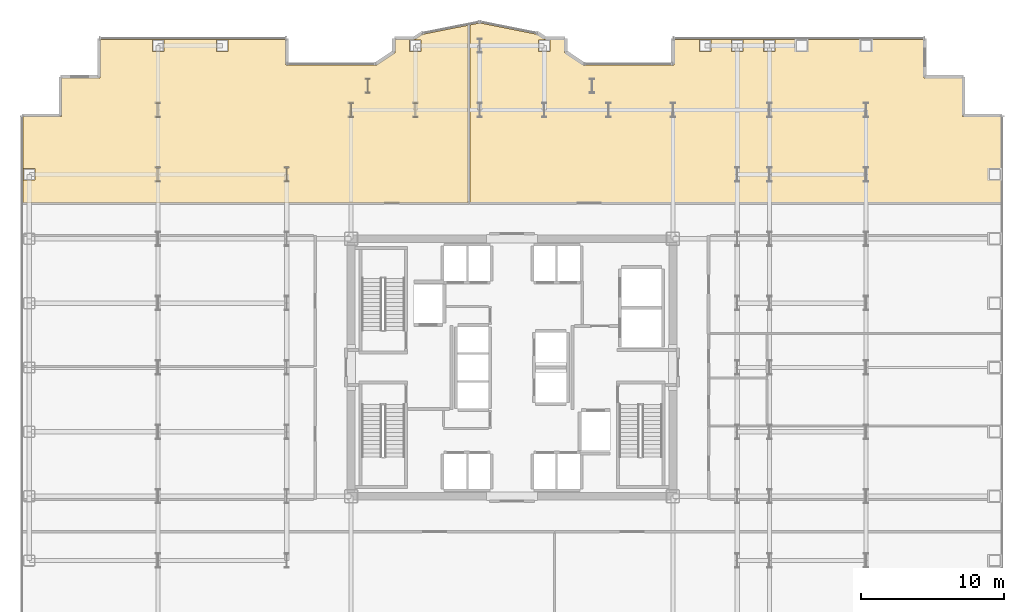
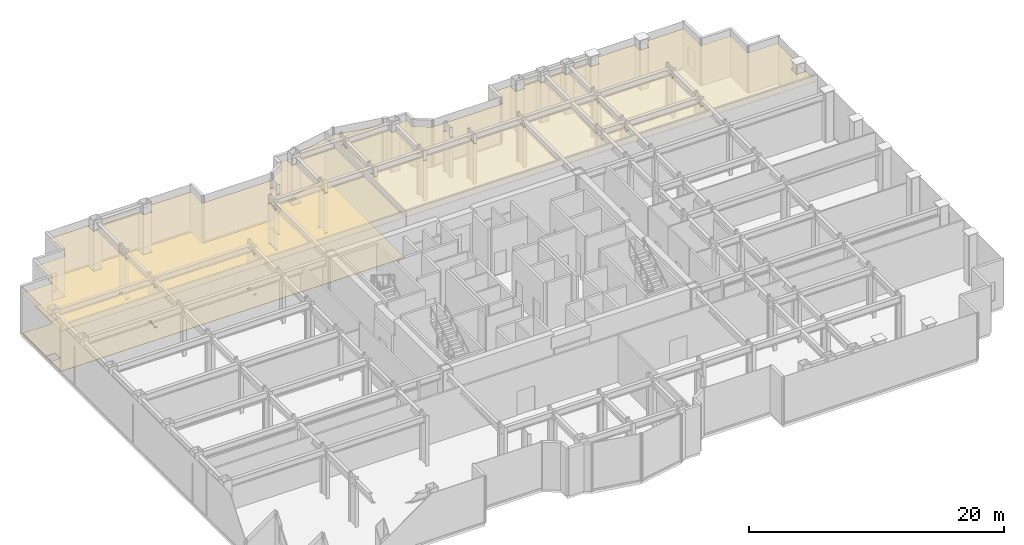
# One storey, part 26 of 27: 3 coverings.
"""IFC4 building model written with IfcOpenShell, lengths in metres."""

from ifc_helpers import new_model, si_unit, direction, frame, origin, place, context, subcontext, project, spatial, polyline, outline, extrude, material, layer, layer_set, type_object, element, save


model = new_model("IFC4")

# Units and contexts
model_context = context("Model", 3, precision=1e-05, world=origin(), true_north=direction((0.0, 1.0)))
body_context = subcontext(model_context, "Body", "Model", "MODEL_VIEW")
ifc_project = project(units=[si_unit("LENGTHUNIT", "METRE"), si_unit("AREAUNIT", "SQUARE_METRE"), si_unit("VOLUMEUNIT", "CUBIC_METRE"), si_unit("PLANEANGLEUNIT", "RADIAN"), si_unit("MASSUNIT", "GRAM", prefix="KILO")], contexts=[model_context])

# Site, building, storey
site_placement = place(None, origin())
site = spatial("IfcSite", under=ifc_project, at=site_placement, CompositionType="ELEMENT")
building_placement = place(site_placement, origin())
building = spatial("IfcBuilding", under=site, at=building_placement, Name="Nefas-Gora Pilgrimage Tower", CompositionType="ELEMENT")
storey_placement = place(building_placement, frame((0.0, 0.0, 144.0)))
storey = spatial("IfcBuildingStorey", under=building, at=storey_placement, Name="L35", CompositionType="ELEMENT", Elevation=144.0)

# Coverings
ifc_material_1 = material(Name="Perforated gypsum acoustic ceiling")
ifc_layer_1 = layer(ifc_material_1, 0.02490234375)
ifc_layer_set_1 = layer_set([ifc_layer_1], Name="Perforated gypsum acoustic ceiling")
covering_type_1 = type_object("IfcCoveringType", Name="COV-CEIL-ACOUST", PredefinedType="CEILING", material=ifc_layer_set_1)
covering_1_placement = place(storey_placement, frame((0.0, 0.0, 3.85498046875)))
element("IfcCovering", 1, at=covering_1_placement, inside=storey, type_object=covering_type_1, Name="L35 Acoustic Suspended Ceiling (North Panorama Sky Lobby)", PredefinedType="CEILING", context=body_context, shape_type="SweptSolid", body=[
    extrude(outline(polyline([(-34.18994140625, 17.5400390625), (-34.18994140625, 11.510009765625), (-13.719970703125, 11.510009765625), (-3.06005859375, 11.510009765625), (-3.06005859375, 23.9296875), (-6.276123046875, 23.289794921875), (-6.77978515625, 22.95361328125), (-6.786376953125, 22.949462890625), (-6.79345703125, 22.946044921875), (-6.80078125, 22.943359375), (-6.80859375, 22.94140625), (-6.81640625, 22.9404296875), (-6.82421875, 22.93994140625), (-8.169921875, 22.93994140625), (-8.169921875, 22.0673828125), (-8.17041015625, 22.059326171875), (-8.17138671875, 22.0517578125), (-8.17333984375, 22.0439453125), (-8.176025390625, 22.03662109375), (-8.179443359375, 22.029541015625), (-8.18359375, 22.022705078125), (-8.188232421875, 22.0166015625), (-8.193359375, 22.0107421875), (-8.19921875, 22.00537109375), (-8.20556640625, 22.000732421875), (-9.4736328125, 21.153564453125), (-9.480224609375, 21.1494140625), (-9.4873046875, 21.14599609375), (-9.494873046875, 21.143310546875), (-9.50244140625, 21.1416015625), (-9.51025390625, 21.140380859375), (-9.51806640625, 21.139892578125), (-15.75, 21.139892578125), (-15.7578125, 21.140380859375), (-15.765625, 21.1416015625), (-15.773193359375, 21.143310546875), (-15.780517578125, 21.14599609375), (-15.78759765625, 21.1494140625), (-15.79443359375, 21.153564453125), (-15.80078125, 21.158203125), (-15.806640625, 21.163330078125), (-15.811767578125, 21.169189453125), (-15.81640625, 21.175537109375), (-15.820556640625, 21.182373046875), (-15.823974609375, 21.189453125), (-15.82666015625, 21.19677734375), (-15.82861328125, 21.204345703125), (-15.82958984375, 21.212158203125), (-15.830078125, 21.219970703125), (-15.830078125, 22.93994140625), (-28.7900390625, 22.93994140625), (-28.7900390625, 20.320068359375), (-28.790283203125, 20.312255859375), (-28.79150390625, 20.304443359375), (-28.79345703125, 20.296875), (-28.796142578125, 20.289306640625), (-28.79931640625, 20.2822265625), (-28.803466796875, 20.275634765625), (-28.80810546875, 20.269287109375), (-28.8134765625, 20.263427734375), (-28.819091796875, 20.25830078125), (-28.82568359375, 20.25341796875), (-28.832275390625, 20.24951171875), (-28.83935546875, 20.24609375), (-28.8466796875, 20.243408203125), (-28.8544921875, 20.241455078125), (-28.8623046875, 20.240478515625), (-28.8701171875, 20.239990234375), (-31.489990234375, 20.239990234375), (-31.489990234375, 17.6201171875), (-31.490478515625, 17.6123046875), (-31.491455078125, 17.6044921875), (-31.493408203125, 17.5966796875), (-31.49609375, 17.58935546875), (-31.49951171875, 17.582275390625), (-31.50341796875, 17.57568359375), (-31.50830078125, 17.569091796875), (-31.513427734375, 17.5634765625), (-31.519287109375, 17.55810546875), (-31.525634765625, 17.553466796875), (-31.5322265625, 17.54931640625), (-31.539306640625, 17.546142578125), (-31.546875, 17.54345703125), (-31.554443359375, 17.54150390625), (-31.562255859375, 17.540283203125), (-31.570068359375, 17.5400390625), (-34.18994140625, 17.5400390625)]), holes=[polyline([(-6.347900390625, 22.097900390625), (-7.152099609375, 22.097900390625), (-7.152099609375, 22.902099609375), (-6.347900390625, 22.902099609375), (-6.347900390625, 22.097900390625)]), polyline([(-6.596923828125, 18.4619140625), (-6.737548828125, 18.4619140625), (-6.737548828125, 17.5380859375), (-6.596923828125, 17.5380859375), (-6.596923828125, 17.493896484375), (-6.903076171875, 17.493896484375), (-6.903076171875, 17.5380859375), (-6.762451171875, 17.5380859375), (-6.762451171875, 18.4619140625), (-6.903076171875, 18.4619140625), (-6.903076171875, 18.506103515625), (-6.596923828125, 18.506103515625), (-6.596923828125, 18.4619140625)]), polyline([(-9.93798828125, 20.157958984375), (-10.07861328125, 20.157958984375), (-10.07861328125, 19.23388671875), (-9.93798828125, 19.23388671875), (-9.93798828125, 19.18994140625), (-10.243896484375, 19.18994140625), (-10.243896484375, 19.23388671875), (-10.103515625, 19.23388671875), (-10.103515625, 20.157958984375), (-10.243896484375, 20.157958984375), (-10.243896484375, 20.201904296875), (-9.93798828125, 20.201904296875), (-9.93798828125, 20.157958984375)]), polyline([(-11.096923828125, 18.4619140625), (-11.237548828125, 18.4619140625), (-11.237548828125, 17.5380859375), (-11.096923828125, 17.5380859375), (-11.096923828125, 17.493896484375), (-11.403076171875, 17.493896484375), (-11.403076171875, 17.5380859375), (-11.262451171875, 17.5380859375), (-11.262451171875, 18.4619140625), (-11.403076171875, 18.4619140625), (-11.403076171875, 18.506103515625), (-11.096923828125, 18.506103515625), (-11.096923828125, 18.4619140625)]), polyline([(-15.596923828125, 13.9619140625), (-15.737548828125, 13.9619140625), (-15.737548828125, 13.0380859375), (-15.596923828125, 13.0380859375), (-15.596923828125, 12.993896484375), (-15.903076171875, 12.993896484375), (-15.903076171875, 13.0380859375), (-15.762451171875, 13.0380859375), (-15.762451171875, 13.9619140625), (-15.903076171875, 13.9619140625), (-15.903076171875, 14.006103515625), (-15.596923828125, 14.006103515625), (-15.596923828125, 13.9619140625)]), polyline([(-19.847900390625, 22.902099609375), (-19.847900390625, 22.097900390625), (-20.652099609375, 22.097900390625), (-20.652099609375, 22.902099609375), (-19.847900390625, 22.902099609375)]), polyline([(-24.347900390625, 22.097900390625), (-25.152099609375, 22.097900390625), (-25.152099609375, 22.902099609375), (-24.347900390625, 22.902099609375), (-24.347900390625, 22.097900390625)]), polyline([(-24.596923828125, 13.9619140625), (-24.737548828125, 13.9619140625), (-24.737548828125, 13.0380859375), (-24.596923828125, 13.0380859375), (-24.596923828125, 12.993896484375), (-24.903076171875, 12.993896484375), (-24.903076171875, 13.0380859375), (-24.762451171875, 13.0380859375), (-24.762451171875, 13.9619140625), (-24.903076171875, 13.9619140625), (-24.903076171875, 14.006103515625), (-24.596923828125, 14.006103515625), (-24.596923828125, 13.9619140625)]), polyline([(-24.596923828125, 18.4619140625), (-24.737548828125, 18.4619140625), (-24.737548828125, 17.5380859375), (-24.596923828125, 17.5380859375), (-24.596923828125, 17.493896484375), (-24.903076171875, 17.493896484375), (-24.903076171875, 17.5380859375), (-24.762451171875, 17.5380859375), (-24.762451171875, 18.4619140625), (-24.903076171875, 18.4619140625), (-24.903076171875, 18.506103515625), (-24.596923828125, 18.506103515625), (-24.596923828125, 18.4619140625)]), polyline([(-33.347900390625, 13.902099609375), (-33.347900390625, 13.097900390625), (-34.152099609375, 13.097900390625), (-34.152099609375, 13.902099609375), (-33.347900390625, 13.902099609375)])]), origin(), (0.0, 0.0, 1.0), 0.02490234375),
])
covering_2_placement = place(storey_placement, frame((0.0, 0.0, 3.85498046875)))
element("IfcCovering", 2, at=covering_2_placement, inside=storey, type_object=covering_type_1, Name="L35 Acoustic Suspended Ceiling (Sky Transfer Concierge Hall)", PredefinedType="CEILING", context=body_context, shape_type="SweptSolid", body=[
    extrude(outline(polyline([(-2.25, 24.0908203125), (-2.93994140625, 23.95361328125), (-2.93994140625, 11.510009765625), (13.719970703125, 11.510009765625), (34.18994140625, 11.510009765625), (34.18994140625, 17.5400390625), (31.570068359375, 17.5400390625), (31.562255859375, 17.540283203125), (31.554443359375, 17.54150390625), (31.546875, 17.54345703125), (31.539306640625, 17.546142578125), (31.5322265625, 17.54931640625), (31.525634765625, 17.553466796875), (31.519287109375, 17.55810546875), (31.513427734375, 17.5634765625), (31.50830078125, 17.569091796875), (31.50341796875, 17.57568359375), (31.49951171875, 17.582275390625), (31.49609375, 17.58935546875), (31.493408203125, 17.5966796875), (31.491455078125, 17.6044921875), (31.490478515625, 17.6123046875), (31.489990234375, 17.6201171875), (31.489990234375, 20.239990234375), (28.8701171875, 20.239990234375), (28.8623046875, 20.240478515625), (28.8544921875, 20.241455078125), (28.8466796875, 20.243408203125), (28.83935546875, 20.24609375), (28.832275390625, 20.24951171875), (28.82568359375, 20.25341796875), (28.819091796875, 20.25830078125), (28.8134765625, 20.263427734375), (28.80810546875, 20.269287109375), (28.803466796875, 20.275634765625), (28.79931640625, 20.2822265625), (28.796142578125, 20.289306640625), (28.79345703125, 20.296875), (28.79150390625, 20.304443359375), (28.790283203125, 20.312255859375), (28.7900390625, 20.320068359375), (28.7900390625, 22.93994140625), (11.330078125, 22.93994140625), (11.330078125, 21.219970703125), (11.32958984375, 21.212158203125), (11.32861328125, 21.204345703125), (11.32666015625, 21.19677734375), (11.323974609375, 21.189453125), (11.320556640625, 21.182373046875), (11.31640625, 21.175537109375), (11.311767578125, 21.169189453125), (11.306640625, 21.163330078125), (11.30078125, 21.158203125), (11.29443359375, 21.153564453125), (11.28759765625, 21.1494140625), (11.280517578125, 21.14599609375), (11.273193359375, 21.143310546875), (11.265625, 21.1416015625), (11.2578125, 21.140380859375), (11.25, 21.139892578125), (5.01806640625, 21.139892578125), (5.01025390625, 21.140380859375), (5.00244140625, 21.1416015625), (4.994873046875, 21.143310546875), (4.9873046875, 21.14599609375), (4.980224609375, 21.1494140625), (4.9736328125, 21.153564453125), (3.70556640625, 22.000732421875), (3.69921875, 22.00537109375), (3.693359375, 22.0107421875), (3.688232421875, 22.0166015625), (3.68359375, 22.022705078125), (3.679443359375, 22.029541015625), (3.676025390625, 22.03662109375), (3.67333984375, 22.0439453125), (3.67138671875, 22.0517578125), (3.67041015625, 22.059326171875), (3.669921875, 22.0673828125), (3.669921875, 22.93994140625), (2.32421875, 22.93994140625), (2.31640625, 22.9404296875), (2.30859375, 22.94140625), (2.30078125, 22.943359375), (2.29345703125, 22.946044921875), (2.286376953125, 22.949462890625), (2.27978515625, 22.95361328125), (1.776123046875, 23.289794921875), (-2.25, 24.0908203125)]), holes=[polyline([(34.152099609375, 13.097900390625), (33.347900390625, 13.097900390625), (33.347900390625, 13.902099609375), (34.152099609375, 13.902099609375), (34.152099609375, 13.097900390625)]), polyline([(25.152099609375, 22.097900390625), (24.347900390625, 22.097900390625), (24.347900390625, 22.902099609375), (25.152099609375, 22.902099609375), (25.152099609375, 22.097900390625)]), polyline([(24.903076171875, 13.9619140625), (24.762451171875, 13.9619140625), (24.762451171875, 13.0380859375), (24.903076171875, 13.0380859375), (24.903076171875, 12.993896484375), (24.596923828125, 12.993896484375), (24.596923828125, 13.0380859375), (24.737548828125, 13.0380859375), (24.737548828125, 13.9619140625), (24.596923828125, 13.9619140625), (24.596923828125, 14.006103515625), (24.903076171875, 14.006103515625), (24.903076171875, 13.9619140625)]), polyline([(24.903076171875, 18.506103515625), (24.903076171875, 18.4619140625), (24.762451171875, 18.4619140625), (24.762451171875, 17.5380859375), (24.903076171875, 17.5380859375), (24.903076171875, 17.493896484375), (24.596923828125, 17.493896484375), (24.596923828125, 17.5380859375), (24.737548828125, 17.5380859375), (24.737548828125, 18.4619140625), (24.596923828125, 18.4619140625), (24.596923828125, 18.506103515625), (24.903076171875, 18.506103515625)]), polyline([(20.652099609375, 22.097900390625), (19.847900390625, 22.097900390625), (19.847900390625, 22.902099609375), (20.652099609375, 22.902099609375), (20.652099609375, 22.097900390625)]), polyline([(18.402099609375, 22.097900390625), (17.597900390625, 22.097900390625), (17.597900390625, 22.902099609375), (18.402099609375, 22.902099609375), (18.402099609375, 22.097900390625)]), polyline([(18.153076171875, 18.506103515625), (18.153076171875, 18.4619140625), (18.012451171875, 18.4619140625), (18.012451171875, 17.5380859375), (18.153076171875, 17.5380859375), (18.153076171875, 17.493896484375), (17.846923828125, 17.493896484375), (17.846923828125, 17.5380859375), (17.987548828125, 17.5380859375), (17.987548828125, 18.4619140625), (17.846923828125, 18.4619140625), (17.846923828125, 18.506103515625), (18.153076171875, 18.506103515625)]), polyline([(18.153076171875, 14.006103515625), (18.153076171875, 13.9619140625), (18.012451171875, 13.9619140625), (18.012451171875, 13.0380859375), (18.153076171875, 13.0380859375), (18.153076171875, 12.993896484375), (17.846923828125, 12.993896484375), (17.846923828125, 13.0380859375), (17.987548828125, 13.0380859375), (17.987548828125, 13.9619140625), (17.846923828125, 13.9619140625), (17.846923828125, 14.006103515625), (18.153076171875, 14.006103515625)]), polyline([(16.152099609375, 22.097900390625), (15.347900390625, 22.097900390625), (15.347900390625, 22.902099609375), (16.152099609375, 22.902099609375), (16.152099609375, 22.097900390625)]), polyline([(15.903076171875, 13.9619140625), (15.762451171875, 13.9619140625), (15.762451171875, 13.0380859375), (15.903076171875, 13.0380859375), (15.903076171875, 12.993896484375), (15.596923828125, 12.993896484375), (15.596923828125, 13.0380859375), (15.737548828125, 13.0380859375), (15.737548828125, 13.9619140625), (15.596923828125, 13.9619140625), (15.596923828125, 14.006103515625), (15.903076171875, 14.006103515625), (15.903076171875, 13.9619140625)]), polyline([(13.902099609375, 22.902099609375), (13.902099609375, 22.097900390625), (13.097900390625, 22.097900390625), (13.097900390625, 22.902099609375), (13.902099609375, 22.902099609375)]), polyline([(11.403076171875, 18.4619140625), (11.262451171875, 18.4619140625), (11.262451171875, 17.5380859375), (11.403076171875, 17.5380859375), (11.403076171875, 17.493896484375), (11.096923828125, 17.493896484375), (11.096923828125, 17.5380859375), (11.237548828125, 17.5380859375), (11.237548828125, 18.4619140625), (11.096923828125, 18.4619140625), (11.096923828125, 18.506103515625), (11.403076171875, 18.506103515625), (11.403076171875, 18.4619140625)]), polyline([(6.903076171875, 18.4619140625), (6.762451171875, 18.4619140625), (6.762451171875, 17.5380859375), (6.903076171875, 17.5380859375), (6.903076171875, 17.493896484375), (6.596923828125, 17.493896484375), (6.596923828125, 17.5380859375), (6.737548828125, 17.5380859375), (6.737548828125, 18.4619140625), (6.596923828125, 18.4619140625), (6.596923828125, 18.506103515625), (6.903076171875, 18.506103515625), (6.903076171875, 18.4619140625)]), polyline([(5.743896484375, 20.201904296875), (5.743896484375, 20.157958984375), (5.603515625, 20.157958984375), (5.603515625, 19.23388671875), (5.743896484375, 19.23388671875), (5.743896484375, 19.18994140625), (5.43798828125, 19.18994140625), (5.43798828125, 19.23388671875), (5.57861328125, 19.23388671875), (5.57861328125, 20.157958984375), (5.43798828125, 20.157958984375), (5.43798828125, 20.201904296875), (5.743896484375, 20.201904296875)]), polyline([(2.652099609375, 22.902099609375), (2.652099609375, 22.097900390625), (1.847900390625, 22.097900390625), (1.847900390625, 22.902099609375), (2.652099609375, 22.902099609375)]), polyline([(2.403076171875, 18.4619140625), (2.262451171875, 18.4619140625), (2.262451171875, 17.5380859375), (2.403076171875, 17.5380859375), (2.403076171875, 17.493896484375), (2.096923828125, 17.493896484375), (2.096923828125, 17.5380859375), (2.237548828125, 17.5380859375), (2.237548828125, 18.4619140625), (2.096923828125, 18.4619140625), (2.096923828125, 18.506103515625), (2.403076171875, 18.506103515625), (2.403076171875, 18.4619140625)]), polyline([(-2.096923828125, 18.506103515625), (-2.096923828125, 18.4619140625), (-2.237548828125, 18.4619140625), (-2.237548828125, 17.5380859375), (-2.096923828125, 17.5380859375), (-2.096923828125, 17.493896484375), (-2.403076171875, 17.493896484375), (-2.403076171875, 17.5380859375), (-2.262451171875, 17.5380859375), (-2.262451171875, 18.4619140625), (-2.403076171875, 18.4619140625), (-2.403076171875, 18.506103515625), (-2.096923828125, 18.506103515625)]), polyline([(-2.096923828125, 22.9619140625), (-2.237548828125, 22.9619140625), (-2.237548828125, 22.0380859375), (-2.096923828125, 22.0380859375), (-2.096923828125, 21.993896484375), (-2.403076171875, 21.993896484375), (-2.403076171875, 22.0380859375), (-2.262451171875, 22.0380859375), (-2.262451171875, 22.9619140625), (-2.403076171875, 22.9619140625), (-2.403076171875, 23.006103515625), (-2.096923828125, 23.006103515625), (-2.096923828125, 22.9619140625)])]), origin(), (0.0, 0.0, 1.0), 0.02490234375),
])
ifc_material_2 = material(Name="Honed granite stone flooring", Category="masonry")
ifc_layer_2 = layer(ifc_material_2, 0.030029296875)
ifc_layer_set_2 = layer_set([ifc_layer_2], Name="Honed granite stone flooring")
covering_type_2 = type_object("IfcCoveringType", Name="COV-FLOR-GRAN", PredefinedType="FLOORING", material=ifc_layer_set_2)
covering_3_placement = place(storey_placement, origin())
element("IfcCovering", 3, at=covering_3_placement, inside=storey, type_object=covering_type_2, Name="L35 Honed Granite Flooring (North Panorama Sky Lobby)", PredefinedType="FLOORING", context=body_context, shape_type="SweptSolid", body=[
    extrude(outline(polyline([(-34.18994140625, 17.5400390625), (-34.18994140625, 11.510009765625), (-13.719970703125, 11.510009765625), (-3.06005859375, 11.510009765625), (-3.06005859375, 23.9296875), (-6.276123046875, 23.289794921875), (-6.77978515625, 22.95361328125), (-6.786376953125, 22.949462890625), (-6.79345703125, 22.946044921875), (-6.80078125, 22.943359375), (-6.80859375, 22.94140625), (-6.81640625, 22.9404296875), (-6.82421875, 22.93994140625), (-8.169921875, 22.93994140625), (-8.169921875, 22.0673828125), (-8.17041015625, 22.059326171875), (-8.17138671875, 22.0517578125), (-8.17333984375, 22.0439453125), (-8.176025390625, 22.03662109375), (-8.179443359375, 22.029541015625), (-8.18359375, 22.022705078125), (-8.188232421875, 22.0166015625), (-8.193359375, 22.0107421875), (-8.19921875, 22.00537109375), (-8.20556640625, 22.000732421875), (-9.4736328125, 21.153564453125), (-9.480224609375, 21.1494140625), (-9.4873046875, 21.14599609375), (-9.494873046875, 21.143310546875), (-9.50244140625, 21.1416015625), (-9.51025390625, 21.140380859375), (-9.51806640625, 21.139892578125), (-15.75, 21.139892578125), (-15.7578125, 21.140380859375), (-15.765625, 21.1416015625), (-15.773193359375, 21.143310546875), (-15.780517578125, 21.14599609375), (-15.78759765625, 21.1494140625), (-15.79443359375, 21.153564453125), (-15.80078125, 21.158203125), (-15.806640625, 21.163330078125), (-15.811767578125, 21.169189453125), (-15.81640625, 21.175537109375), (-15.820556640625, 21.182373046875), (-15.823974609375, 21.189453125), (-15.82666015625, 21.19677734375), (-15.82861328125, 21.204345703125), (-15.82958984375, 21.212158203125), (-15.830078125, 21.219970703125), (-15.830078125, 22.93994140625), (-28.7900390625, 22.93994140625), (-28.7900390625, 20.320068359375), (-28.790283203125, 20.312255859375), (-28.79150390625, 20.304443359375), (-28.79345703125, 20.296875), (-28.796142578125, 20.289306640625), (-28.79931640625, 20.2822265625), (-28.803466796875, 20.275634765625), (-28.80810546875, 20.269287109375), (-28.8134765625, 20.263427734375), (-28.819091796875, 20.25830078125), (-28.82568359375, 20.25341796875), (-28.832275390625, 20.24951171875), (-28.83935546875, 20.24609375), (-28.8466796875, 20.243408203125), (-28.8544921875, 20.241455078125), (-28.8623046875, 20.240478515625), (-28.8701171875, 20.239990234375), (-31.489990234375, 20.239990234375), (-31.489990234375, 17.6201171875), (-31.490478515625, 17.6123046875), (-31.491455078125, 17.6044921875), (-31.493408203125, 17.5966796875), (-31.49609375, 17.58935546875), (-31.49951171875, 17.582275390625), (-31.50341796875, 17.57568359375), (-31.50830078125, 17.569091796875), (-31.513427734375, 17.5634765625), (-31.519287109375, 17.55810546875), (-31.525634765625, 17.553466796875), (-31.5322265625, 17.54931640625), (-31.539306640625, 17.546142578125), (-31.546875, 17.54345703125), (-31.554443359375, 17.54150390625), (-31.562255859375, 17.540283203125), (-31.570068359375, 17.5400390625), (-34.18994140625, 17.5400390625)]), holes=[polyline([(-6.347900390625, 22.097900390625), (-7.152099609375, 22.097900390625), (-7.152099609375, 22.902099609375), (-6.347900390625, 22.902099609375), (-6.347900390625, 22.097900390625)]), polyline([(-6.596923828125, 18.4619140625), (-6.737548828125, 18.4619140625), (-6.737548828125, 17.5380859375), (-6.596923828125, 17.5380859375), (-6.596923828125, 17.493896484375), (-6.903076171875, 17.493896484375), (-6.903076171875, 17.5380859375), (-6.762451171875, 17.5380859375), (-6.762451171875, 18.4619140625), (-6.903076171875, 18.4619140625), (-6.903076171875, 18.506103515625), (-6.596923828125, 18.506103515625), (-6.596923828125, 18.4619140625)]), polyline([(-9.93798828125, 20.157958984375), (-10.07861328125, 20.157958984375), (-10.07861328125, 19.23388671875), (-9.93798828125, 19.23388671875), (-9.93798828125, 19.18994140625), (-10.243896484375, 19.18994140625), (-10.243896484375, 19.23388671875), (-10.103515625, 19.23388671875), (-10.103515625, 20.157958984375), (-10.243896484375, 20.157958984375), (-10.243896484375, 20.201904296875), (-9.93798828125, 20.201904296875), (-9.93798828125, 20.157958984375)]), polyline([(-11.096923828125, 18.4619140625), (-11.237548828125, 18.4619140625), (-11.237548828125, 17.5380859375), (-11.096923828125, 17.5380859375), (-11.096923828125, 17.493896484375), (-11.403076171875, 17.493896484375), (-11.403076171875, 17.5380859375), (-11.262451171875, 17.5380859375), (-11.262451171875, 18.4619140625), (-11.403076171875, 18.4619140625), (-11.403076171875, 18.506103515625), (-11.096923828125, 18.506103515625), (-11.096923828125, 18.4619140625)]), polyline([(-15.596923828125, 13.9619140625), (-15.737548828125, 13.9619140625), (-15.737548828125, 13.0380859375), (-15.596923828125, 13.0380859375), (-15.596923828125, 12.993896484375), (-15.903076171875, 12.993896484375), (-15.903076171875, 13.0380859375), (-15.762451171875, 13.0380859375), (-15.762451171875, 13.9619140625), (-15.903076171875, 13.9619140625), (-15.903076171875, 14.006103515625), (-15.596923828125, 14.006103515625), (-15.596923828125, 13.9619140625)]), polyline([(-19.847900390625, 22.902099609375), (-19.847900390625, 22.097900390625), (-20.652099609375, 22.097900390625), (-20.652099609375, 22.902099609375), (-19.847900390625, 22.902099609375)]), polyline([(-24.347900390625, 22.097900390625), (-25.152099609375, 22.097900390625), (-25.152099609375, 22.902099609375), (-24.347900390625, 22.902099609375), (-24.347900390625, 22.097900390625)]), polyline([(-24.596923828125, 13.9619140625), (-24.737548828125, 13.9619140625), (-24.737548828125, 13.0380859375), (-24.596923828125, 13.0380859375), (-24.596923828125, 12.993896484375), (-24.903076171875, 12.993896484375), (-24.903076171875, 13.0380859375), (-24.762451171875, 13.0380859375), (-24.762451171875, 13.9619140625), (-24.903076171875, 13.9619140625), (-24.903076171875, 14.006103515625), (-24.596923828125, 14.006103515625), (-24.596923828125, 13.9619140625)]), polyline([(-24.596923828125, 18.4619140625), (-24.737548828125, 18.4619140625), (-24.737548828125, 17.5380859375), (-24.596923828125, 17.5380859375), (-24.596923828125, 17.493896484375), (-24.903076171875, 17.493896484375), (-24.903076171875, 17.5380859375), (-24.762451171875, 17.5380859375), (-24.762451171875, 18.4619140625), (-24.903076171875, 18.4619140625), (-24.903076171875, 18.506103515625), (-24.596923828125, 18.506103515625), (-24.596923828125, 18.4619140625)]), polyline([(-33.347900390625, 13.902099609375), (-33.347900390625, 13.097900390625), (-34.152099609375, 13.097900390625), (-34.152099609375, 13.902099609375), (-33.347900390625, 13.902099609375)])]), origin(), (0.0, 0.0, 1.0), 0.030029296875),
])

save(model, "model.ifc")
